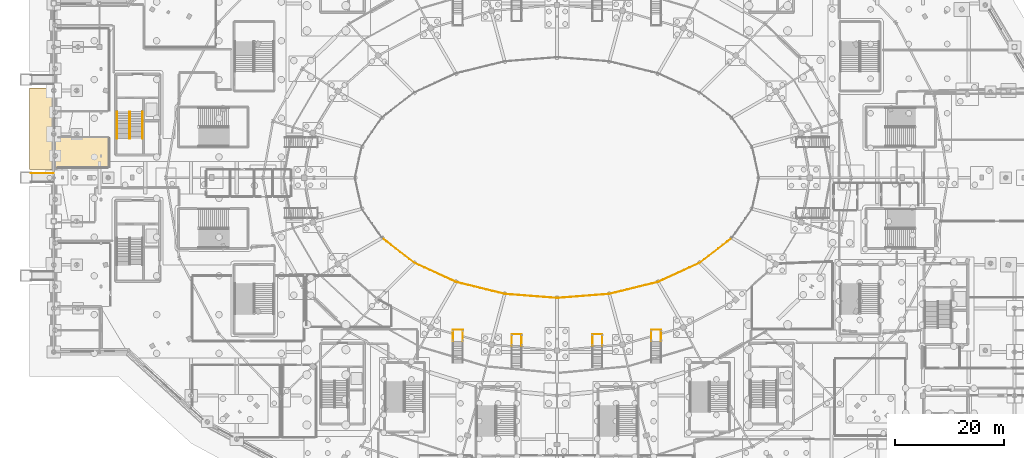
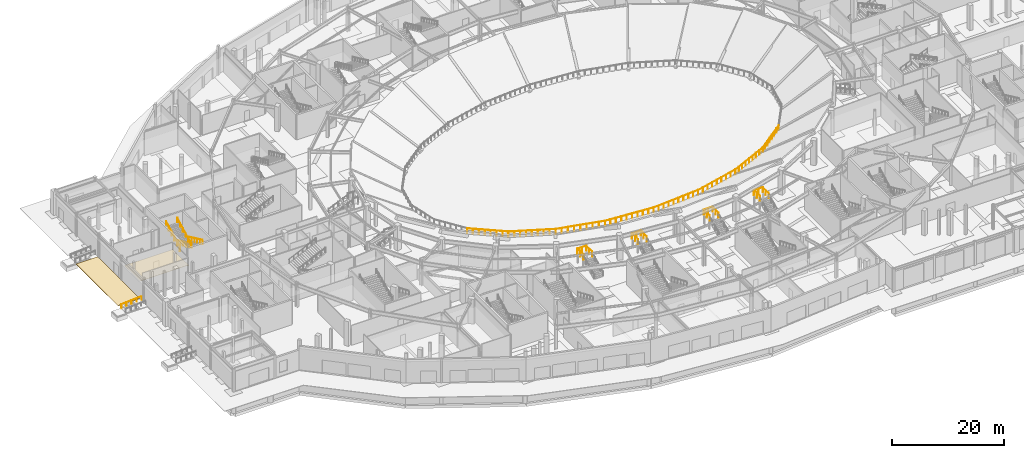
# One storey, part 75 of 93: 25 railings, 2 coverings.
"""IFC4 building model written with IfcOpenShell, lengths in metres."""

from ifc_helpers import new_model, si_unit, direction, frame, origin, origin_2d, place, context, subcontext, project, spatial, polyline, circle, outline, extrude, material, layer, layer_set, type_object, element, save


model = new_model("IFC4")

# Units and contexts
model_context = context("Model", 3, precision=1e-05, world=origin(), true_north=direction((0.0, 1.0)))
body_context = subcontext(model_context, "Body", "Model", "MODEL_VIEW")
ifc_project = project(units=[si_unit("LENGTHUNIT", "METRE"), si_unit("AREAUNIT", "SQUARE_METRE"), si_unit("VOLUMEUNIT", "CUBIC_METRE"), si_unit("PLANEANGLEUNIT", "RADIAN"), si_unit("MASSUNIT", "GRAM", prefix="KILO")], contexts=[model_context])

# Site, building, storey
site_placement = place(None, origin())
site = spatial("IfcSite", under=ifc_project, at=site_placement, CompositionType="ELEMENT")
building_placement = place(site_placement, origin())
building = spatial("IfcBuilding", under=site, at=building_placement, Name="Kalgoora Escarpment Arena", CompositionType="ELEMENT")
storey_placement = place(building_placement, origin())
storey = spatial("IfcBuildingStorey", under=building, at=storey_placement, Name="L00", CompositionType="ELEMENT", Elevation=0.0)

# Coverings
ifc_material_1 = material(Name="Perforated acoustic mineral-fibre ceiling tile")
ifc_layer_1 = layer(ifc_material_1, 0.02490234375)
ifc_layer_set_1 = layer_set([ifc_layer_1], Name="COV-CEIL-ACOUSTIC")
covering_type_1 = type_object("IfcCoveringType", Name="COV-CEIL-ACOUSTIC", PredefinedType="CEILING", material=ifc_layer_set_1)
covering_1_placement = place(storey_placement, frame((0.0, 0.0, 3.47998046875)))
element("IfcCovering", 1, at=covering_1_placement, inside=storey, type_object=covering_type_1, Name="L00 Media Centre acoustic suspended ceiling", PredefinedType="CEILING", context=body_context, shape_type="SweptSolid", body=[
    extrude(outline(polyline([(0.2607421875, 71.40771484375), (10.218994140625, 71.435302734375), (10.2353515625, 65.781005859375), (0.281005859375, 65.7646484375), (0.2607421875, 71.40771484375)])), origin(), (0.0, 0.0, 1.0), 0.02490234375),
])
ifc_material_2 = material(Name="Honed Kimberley sandstone paving", Category="masonry")
ifc_layer_2 = layer(ifc_material_2, 0.06494140625)
ifc_layer_set_2 = layer_set([ifc_layer_2], Name="COV-PAVING-FORECOURT")
covering_type_2 = type_object("IfcCoveringType", Name="COV-PAVING-FORECOURT", PredefinedType="USERDEFINED", material=ifc_layer_set_2)
covering_2_placement = place(storey_placement, frame((0.0, 0.0, -0.06494140625)))
element("IfcCovering", 2, at=covering_2_placement, inside=storey, type_object=covering_type_2, Name="Perimeter pedestrian egress apron paving 03", ObjectType="PAVING", PredefinedType="USERDEFINED", context=body_context, shape_type="SweptSolid", body=[
    extrude(outline(polyline([(-0.02001953125, 80.5), (-0.02001953125, 65.5), (-4.5, 65.5), (-4.5, 80.5), (-0.02001953125, 80.5)])), origin(), (0.0, 0.0, 1.0), 0.06494140625),
])

# Railings
ifc_material_3 = material(Name="Galvanised & powdercoated tubular steel", Category="steel")
railing_type_1 = type_object("IfcRailingType", Name="RAL-GUARD-1120", PredefinedType="GUARDRAIL", material=ifc_material_3)
for number, where, name in (
    (3, (75.10009765625, 33.9599609375, 1.949951171875), "Vomitory VST05 landing guard L"),
    (4, (73.300048828125, 33.9599609375, 1.949951171875), "Vomitory VST05 landing guard R"),
):
    element("IfcRailing", number, at=place(storey_placement, frame(where)), inside=storey, type_object=railing_type_1, Name=name, PredefinedType="GUARDRAIL", context=body_context, shape_type="SweptSolid", body=[
        extrude(circle(Radius=0.02392578125, at=origin_2d()), frame((0.0, 0.0, 1.09619140625), z_axis=(0.0, 1.0, 0.0), x_axis=(-1.0, 0.0, 0.0)), (0.0, 0.0, 1.0), 2.10009765625),
        extrude(circle(Radius=0.02099609375, at=origin_2d()), origin(), (0.0, 0.0, 1.0), 1.072021484375),
        extrude(circle(Radius=0.02099609375, at=origin_2d()), frame((0.0, 1.050048828125, 0.0)), (0.0, 0.0, 1.0), 1.072021484375),
        extrude(circle(Radius=0.02099609375, at=origin_2d()), frame((0.0, 2.10009765625, 0.0)), (0.0, 0.0, 1.0), 1.072021484375),
    ])
railing_1_placement = place(storey_placement, frame((75.1201171875, 36.06005859375, 1.949951171875)))
element("IfcRailing", 5, at=railing_1_placement, inside=storey, type_object=railing_type_1, Name="Vomitory VST05 landing end guard", PredefinedType="GUARDRAIL", context=body_context, shape_type="SweptSolid", body=[
    extrude(circle(Radius=0.02392578125, at=origin_2d()), frame((0.0, 0.0, 1.09619140625), z_axis=(-1.0, 0.0, 0.0), x_axis=(0.0, -1.0, 0.0)), (0.0, 0.0, 1.0), 1.840087890625),
    extrude(circle(Radius=0.02099609375, at=origin_2d()), origin(), (0.0, 0.0, 1.0), 1.072021484375),
    extrude(circle(Radius=0.02099609375, at=origin_2d()), frame((-0.919921875, 0.0, 0.0)), (0.0, 0.0, 1.0), 1.072021484375),
    extrude(circle(Radius=0.02099609375, at=origin_2d()), frame((-1.840087890625, 0.0, 0.0)), (0.0, 0.0, 1.0), 1.072021484375),
])
for number, where, name in (
    (6, (85.89990234375, 33.159912109375, 1.949951171875), "Vomitory VST06 landing guard L"),
    (7, (84.10009765625, 33.159912109375, 1.949951171875), "Vomitory VST06 landing guard R"),
):
    element("IfcRailing", number, at=place(storey_placement, frame(where)), inside=storey, type_object=railing_type_1, Name=name, PredefinedType="GUARDRAIL", context=body_context, shape_type="SweptSolid", body=[
        extrude(circle(Radius=0.02392578125, at=origin_2d()), frame((0.0, 0.0, 1.09619140625), z_axis=(0.0, 1.0, 0.0), x_axis=(-1.0, 0.0, 0.0)), (0.0, 0.0, 1.0), 2.10009765625),
        extrude(circle(Radius=0.02099609375, at=origin_2d()), origin(), (0.0, 0.0, 1.0), 1.072021484375),
        extrude(circle(Radius=0.02099609375, at=origin_2d()), frame((0.0, 1.050048828125, 0.0)), (0.0, 0.0, 1.0), 1.072021484375),
        extrude(circle(Radius=0.02099609375, at=origin_2d()), frame((0.0, 2.10009765625, 0.0)), (0.0, 0.0, 1.0), 1.072021484375),
    ])
railing_2_placement = place(storey_placement, frame((85.919921875, 35.260009765625, 1.949951171875)))
element("IfcRailing", 8, at=railing_2_placement, inside=storey, type_object=railing_type_1, Name="Vomitory VST06 landing end guard", PredefinedType="GUARDRAIL", context=body_context, shape_type="SweptSolid", body=[
    extrude(circle(Radius=0.02392578125, at=origin_2d()), frame((0.0, 0.0, 1.09619140625), z_axis=(-1.0, 0.0, 0.0), x_axis=(0.0, -1.0, 0.0)), (0.0, 0.0, 1.0), 1.83984375),
    extrude(circle(Radius=0.02099609375, at=origin_2d()), origin(), (0.0, 0.0, 1.0), 1.072021484375),
    extrude(circle(Radius=0.02099609375, at=origin_2d()), frame((-0.919921875, 0.0, 0.0)), (0.0, 0.0, 1.0), 1.072021484375),
    extrude(circle(Radius=0.02099609375, at=origin_2d()), frame((-1.83984375, 0.0, 0.0)), (0.0, 0.0, 1.0), 1.072021484375),
])
for number, where, name in (
    (9, (100.699951171875, 33.159912109375, 1.949951171875), "Vomitory VST07 landing guard L"),
    (10, (98.89990234375, 33.159912109375, 1.949951171875), "Vomitory VST07 landing guard R"),
):
    element("IfcRailing", number, at=place(storey_placement, frame(where)), inside=storey, type_object=railing_type_1, Name=name, PredefinedType="GUARDRAIL", context=body_context, shape_type="SweptSolid", body=[
        extrude(circle(Radius=0.02392578125, at=origin_2d()), frame((0.0, 0.0, 1.09619140625), z_axis=(0.0, 1.0, 0.0), x_axis=(-1.0, 0.0, 0.0)), (0.0, 0.0, 1.0), 2.10009765625),
        extrude(circle(Radius=0.02099609375, at=origin_2d()), origin(), (0.0, 0.0, 1.0), 1.072021484375),
        extrude(circle(Radius=0.02099609375, at=origin_2d()), frame((0.0, 1.050048828125, 0.0)), (0.0, 0.0, 1.0), 1.072021484375),
        extrude(circle(Radius=0.02099609375, at=origin_2d()), frame((0.0, 2.10009765625, 0.0)), (0.0, 0.0, 1.0), 1.072021484375),
    ])
railing_3_placement = place(storey_placement, frame((100.719970703125, 35.260009765625, 1.949951171875)))
element("IfcRailing", 11, at=railing_3_placement, inside=storey, type_object=railing_type_1, Name="Vomitory VST07 landing end guard", PredefinedType="GUARDRAIL", context=body_context, shape_type="SweptSolid", body=[
    extrude(circle(Radius=0.02392578125, at=origin_2d()), frame((0.0, 0.0, 1.09619140625), z_axis=(-1.0, 0.0, 0.0), x_axis=(0.0, -1.0, 0.0)), (0.0, 0.0, 1.0), 1.840087890625),
    extrude(circle(Radius=0.02099609375, at=origin_2d()), origin(), (0.0, 0.0, 1.0), 1.072021484375),
    extrude(circle(Radius=0.02099609375, at=origin_2d()), frame((-0.919921875, 0.0, 0.0)), (0.0, 0.0, 1.0), 1.072021484375),
    extrude(circle(Radius=0.02099609375, at=origin_2d()), frame((-1.840087890625, 0.0, 0.0)), (0.0, 0.0, 1.0), 1.072021484375),
])
for number, where, name in (
    (12, (111.5, 33.9599609375, 1.949951171875), "Vomitory VST08 landing guard L"),
    (13, (109.699951171875, 33.9599609375, 1.949951171875), "Vomitory VST08 landing guard R"),
):
    element("IfcRailing", number, at=place(storey_placement, frame(where)), inside=storey, type_object=railing_type_1, Name=name, PredefinedType="GUARDRAIL", context=body_context, shape_type="SweptSolid", body=[
        extrude(circle(Radius=0.02392578125, at=origin_2d()), frame((0.0, 0.0, 1.09619140625), z_axis=(0.0, 1.0, 0.0), x_axis=(-1.0, 0.0, 0.0)), (0.0, 0.0, 1.0), 2.10009765625),
        extrude(circle(Radius=0.02099609375, at=origin_2d()), origin(), (0.0, 0.0, 1.0), 1.072021484375),
        extrude(circle(Radius=0.02099609375, at=origin_2d()), frame((0.0, 1.050048828125, 0.0)), (0.0, 0.0, 1.0), 1.072021484375),
        extrude(circle(Radius=0.02099609375, at=origin_2d()), frame((0.0, 2.10009765625, 0.0)), (0.0, 0.0, 1.0), 1.072021484375),
    ])
railing_4_placement = place(storey_placement, frame((111.52001953125, 36.06005859375, 1.949951171875)))
element("IfcRailing", 14, at=railing_4_placement, inside=storey, type_object=railing_type_1, Name="Vomitory VST08 landing end guard", PredefinedType="GUARDRAIL", context=body_context, shape_type="SweptSolid", body=[
    extrude(circle(Radius=0.02392578125, at=origin_2d()), frame((0.0, 0.0, 1.09619140625), z_axis=(-1.0, 0.0, 0.0), x_axis=(0.0, -1.0, 0.0)), (0.0, 0.0, 1.0), 1.840087890625),
    extrude(circle(Radius=0.02099609375, at=origin_2d()), origin(), (0.0, 0.0, 1.0), 1.072021484375),
    extrude(circle(Radius=0.02099609375, at=origin_2d()), frame((-0.919921875, 0.0, 0.0)), (0.0, 0.0, 1.0), 1.072021484375),
    extrude(circle(Radius=0.02099609375, at=origin_2d()), frame((-1.840087890625, 0.0, 0.0)), (0.0, 0.0, 1.0), 1.072021484375),
])
railing_5_placement = place(storey_placement, frame((60.2705078125, 52.949951171875, 0.679931640625)))
element("IfcRailing", 15, at=railing_5_placement, inside=storey, type_object=railing_type_1, Name="Lower tier front sightline guard 15", PredefinedType="GUARDRAIL", context=body_context, shape_type="SweptSolid", body=[
    extrude(circle(Radius=0.02392578125, at=origin_2d()), frame((0.0, 0.0, 1.09619140625), z_axis=(0.789899660101, -0.613236110297, 0.0), x_axis=(0.613236110297, 0.789899660101, 0.0)), (0.0, 0.0, 1.0), 7.4638671875),
    extrude(circle(Radius=0.02099609375, at=origin_2d()), origin(), (0.0, 0.0, 1.0), 1.072021484375),
    extrude(circle(Radius=0.02099609375, at=origin_2d()), frame((0.84228515625, -0.65380859375, 0.0)), (0.0, 0.0, 1.0), 1.072021484375),
    extrude(circle(Radius=0.02099609375, at=origin_2d()), frame((1.6845703125, -1.307861328125, 0.0)), (0.0, 0.0, 1.0), 1.072021484375),
    extrude(circle(Radius=0.02099609375, at=origin_2d()), frame((2.52685546875, -1.961669921875, 0.0)), (0.0, 0.0, 1.0), 1.072021484375),
    extrude(circle(Radius=0.02099609375, at=origin_2d()), frame((3.368896484375, -2.615478515625, 0.0)), (0.0, 0.0, 1.0), 1.072021484375),
    extrude(circle(Radius=0.02099609375, at=origin_2d()), frame((4.211181640625, -3.269287109375, 0.0)), (0.0, 0.0, 1.0), 1.072021484375),
    extrude(circle(Radius=0.02099609375, at=origin_2d()), frame((5.053466796875, -3.92333984375, 0.0)), (0.0, 0.0, 1.0), 1.072021484375),
    extrude(circle(Radius=0.02099609375, at=origin_2d()), frame((5.895751953125, -4.5771484375, 0.0)), (0.0, 0.0, 1.0), 1.072021484375),
])
railing_6_placement = place(storey_placement, frame((66.166259765625, 48.372802734375, 0.679931640625)))
element("IfcRailing", 16, at=railing_6_placement, inside=storey, type_object=railing_type_1, Name="Lower tier front sightline guard 16", PredefinedType="GUARDRAIL", context=body_context, shape_type="SweptSolid", body=[
    extrude(circle(Radius=0.02392578125, at=origin_2d()), frame((0.0, 0.0, 1.09619140625), z_axis=(0.909503507852, -0.415696246321, 0.0), x_axis=(0.415696246321, 0.909503507852, 0.0)), (0.0, 0.0, 1.0), 8.448486328125),
    extrude(circle(Radius=0.02099609375, at=origin_2d()), origin(), (0.0, 0.0, 1.0), 1.072021484375),
    extrude(circle(Radius=0.02099609375, at=origin_2d()), frame((0.96044921875, -0.43896484375, 0.0)), (0.0, 0.0, 1.0), 1.072021484375),
    extrude(circle(Radius=0.02099609375, at=origin_2d()), frame((1.9208984375, -0.8779296875, 0.0)), (0.0, 0.0, 1.0), 1.072021484375),
    extrude(circle(Radius=0.02099609375, at=origin_2d()), frame((2.88134765625, -1.31689453125, 0.0)), (0.0, 0.0, 1.0), 1.072021484375),
    extrude(circle(Radius=0.02099609375, at=origin_2d()), frame((3.841796875, -1.755859375, 0.0)), (0.0, 0.0, 1.0), 1.072021484375),
    extrude(circle(Radius=0.02099609375, at=origin_2d()), frame((4.802490234375, -2.195068359375, 0.0)), (0.0, 0.0, 1.0), 1.072021484375),
    extrude(circle(Radius=0.02099609375, at=origin_2d()), frame((5.762939453125, -2.634033203125, 0.0)), (0.0, 0.0, 1.0), 1.072021484375),
    extrude(circle(Radius=0.02099609375, at=origin_2d()), frame((6.723388671875, -3.072998046875, 0.0)), (0.0, 0.0, 1.0), 1.072021484375),
    extrude(circle(Radius=0.02099609375, at=origin_2d()), frame((7.683837890625, -3.511962890625, 0.0)), (0.0, 0.0, 1.0), 1.072021484375),
])
railing_7_placement = place(storey_placement, frame((73.85009765625, 44.86083984375, 0.679931640625)))
element("IfcRailing", 17, at=railing_7_placement, inside=storey, type_object=railing_type_1, Name="Lower tier front sightline guard 17", PredefinedType="GUARDRAIL", context=body_context, shape_type="SweptSolid", body=[
    extrude(circle(Radius=0.02392578125, at=origin_2d()), frame((0.0, 0.0, 1.09619140625), z_axis=(0.97088278016, -0.239555060873, 0.0), x_axis=(0.239555060873, 0.97088278016, 0.0)), (0.0, 0.0, 1.0), 9.216064453125),
    extrude(circle(Radius=0.02099609375, at=origin_2d()), origin(), (0.0, 0.0, 1.0), 1.072021484375),
    extrude(circle(Radius=0.02099609375, at=origin_2d()), frame((1.118408203125, -0.27587890625, 0.0)), (0.0, 0.0, 1.0), 1.072021484375),
    extrude(circle(Radius=0.02099609375, at=origin_2d()), frame((2.23681640625, -0.552001953125, 0.0)), (0.0, 0.0, 1.0), 1.072021484375),
    extrude(circle(Radius=0.02099609375, at=origin_2d()), frame((3.35546875, -0.827880859375, 0.0)), (0.0, 0.0, 1.0), 1.072021484375),
    extrude(circle(Radius=0.02099609375, at=origin_2d()), frame((4.473876953125, -1.10400390625, 0.0)), (0.0, 0.0, 1.0), 1.072021484375),
    extrude(circle(Radius=0.02099609375, at=origin_2d()), frame((5.59228515625, -1.3798828125, 0.0)), (0.0, 0.0, 1.0), 1.072021484375),
    extrude(circle(Radius=0.02099609375, at=origin_2d()), frame((6.7109375, -1.65576171875, 0.0)), (0.0, 0.0, 1.0), 1.072021484375),
    extrude(circle(Radius=0.02099609375, at=origin_2d()), frame((7.829345703125, -1.931884765625, 0.0)), (0.0, 0.0, 1.0), 1.072021484375),
    extrude(circle(Radius=0.02099609375, at=origin_2d()), frame((8.94775390625, -2.207763671875, 0.0)), (0.0, 0.0, 1.0), 1.072021484375),
])
railing_8_placement = place(storey_placement, frame((82.7978515625, 42.653076171875, 0.679931640625)))
element("IfcRailing", 18, at=railing_8_placement, inside=storey, type_object=railing_type_1, Name="Lower tier front sightline guard 18", PredefinedType="GUARDRAIL", context=body_context, shape_type="SweptSolid", body=[
    extrude(circle(Radius=0.02392578125, at=origin_2d()), frame((0.0, 0.0, 1.09619140625), z_axis=(0.99693779663, -0.078198655037, 0.0), x_axis=(0.078198655037, 0.99693779663, 0.0)), (0.0, 0.0, 1.0), 9.631591796875),
    extrude(circle(Radius=0.02099609375, at=origin_2d()), origin(), (0.0, 0.0, 1.0), 1.072021484375),
    extrude(circle(Radius=0.02099609375, at=origin_2d()), frame((1.06689453125, -0.083740234375, 0.0)), (0.0, 0.0, 1.0), 1.072021484375),
    extrude(circle(Radius=0.02099609375, at=origin_2d()), frame((2.1337890625, -0.16748046875, 0.0)), (0.0, 0.0, 1.0), 1.072021484375),
    extrude(circle(Radius=0.02099609375, at=origin_2d()), frame((3.20068359375, -0.2509765625, 0.0)), (0.0, 0.0, 1.0), 1.072021484375),
    extrude(circle(Radius=0.02099609375, at=origin_2d()), frame((4.267578125, -0.334716796875, 0.0)), (0.0, 0.0, 1.0), 1.072021484375),
    extrude(circle(Radius=0.02099609375, at=origin_2d()), frame((5.33447265625, -0.41845703125, 0.0)), (0.0, 0.0, 1.0), 1.072021484375),
    extrude(circle(Radius=0.02099609375, at=origin_2d()), frame((6.4013671875, -0.502197265625, 0.0)), (0.0, 0.0, 1.0), 1.072021484375),
    extrude(circle(Radius=0.02099609375, at=origin_2d()), frame((7.46826171875, -0.585693359375, 0.0)), (0.0, 0.0, 1.0), 1.072021484375),
    extrude(circle(Radius=0.02099609375, at=origin_2d()), frame((8.53515625, -0.66943359375, 0.0)), (0.0, 0.0, 1.0), 1.072021484375),
    extrude(circle(Radius=0.02099609375, at=origin_2d()), frame((9.60205078125, -0.753173828125, 0.0)), (0.0, 0.0, 1.0), 1.072021484375),
])
railing_9_placement = place(storey_placement, frame((92.39990234375, 41.89990234375, 0.679931640625)))
element("IfcRailing", 19, at=railing_9_placement, inside=storey, type_object=railing_type_1, Name="Lower tier front sightline guard 19", PredefinedType="GUARDRAIL", context=body_context, shape_type="SweptSolid", body=[
    extrude(circle(Radius=0.02392578125, at=origin_2d()), frame((0.0, 0.0, 1.09619140625), z_axis=(0.996937951629, 0.078196678975, 0.0), x_axis=(-0.078196678975, 0.996937951629, 0.0)), (0.0, 0.0, 1.0), 9.6318359375),
    extrude(circle(Radius=0.02099609375, at=origin_2d()), origin(), (0.0, 0.0, 1.0), 1.072021484375),
    extrude(circle(Radius=0.02099609375, at=origin_2d()), frame((1.06689453125, 0.083740234375, 0.0)), (0.0, 0.0, 1.0), 1.072021484375),
    extrude(circle(Radius=0.02099609375, at=origin_2d()), frame((2.1337890625, 0.16748046875, 0.0)), (0.0, 0.0, 1.0), 1.072021484375),
    extrude(circle(Radius=0.02099609375, at=origin_2d()), frame((3.20068359375, 0.2509765625, 0.0)), (0.0, 0.0, 1.0), 1.072021484375),
    extrude(circle(Radius=0.02099609375, at=origin_2d()), frame((4.267578125, 0.334716796875, 0.0)), (0.0, 0.0, 1.0), 1.072021484375),
    extrude(circle(Radius=0.02099609375, at=origin_2d()), frame((5.334716796875, 0.41845703125, 0.0)), (0.0, 0.0, 1.0), 1.072021484375),
    extrude(circle(Radius=0.02099609375, at=origin_2d()), frame((6.401611328125, 0.502197265625, 0.0)), (0.0, 0.0, 1.0), 1.072021484375),
    extrude(circle(Radius=0.02099609375, at=origin_2d()), frame((7.468505859375, 0.585693359375, 0.0)), (0.0, 0.0, 1.0), 1.072021484375),
    extrude(circle(Radius=0.02099609375, at=origin_2d()), frame((8.535400390625, 0.66943359375, 0.0)), (0.0, 0.0, 1.0), 1.072021484375),
    extrude(circle(Radius=0.02099609375, at=origin_2d()), frame((9.602294921875, 0.753173828125, 0.0)), (0.0, 0.0, 1.0), 1.072021484375),
])
railing_10_placement = place(storey_placement, frame((102.002197265625, 42.653076171875, 0.679931640625)))
element("IfcRailing", 20, at=railing_10_placement, inside=storey, type_object=railing_type_1, Name="Lower tier front sightline guard 20", PredefinedType="GUARDRAIL", context=body_context, shape_type="SweptSolid", body=[
    extrude(circle(Radius=0.02392578125, at=origin_2d()), frame((0.0, 0.0, 1.09619140625), z_axis=(0.97088278016, 0.239555060873, 0.0), x_axis=(-0.239555060873, 0.97088278016, 0.0)), (0.0, 0.0, 1.0), 9.216064453125),
    extrude(circle(Radius=0.02099609375, at=origin_2d()), origin(), (0.0, 0.0, 1.0), 1.072021484375),
    extrude(circle(Radius=0.02099609375, at=origin_2d()), frame((1.118408203125, 0.27587890625, 0.0)), (0.0, 0.0, 1.0), 1.072021484375),
    extrude(circle(Radius=0.02099609375, at=origin_2d()), frame((2.23681640625, 0.552001953125, 0.0)), (0.0, 0.0, 1.0), 1.072021484375),
    extrude(circle(Radius=0.02099609375, at=origin_2d()), frame((3.35546875, 0.827880859375, 0.0)), (0.0, 0.0, 1.0), 1.072021484375),
    extrude(circle(Radius=0.02099609375, at=origin_2d()), frame((4.473876953125, 1.10400390625, 0.0)), (0.0, 0.0, 1.0), 1.072021484375),
    extrude(circle(Radius=0.02099609375, at=origin_2d()), frame((5.59228515625, 1.3798828125, 0.0)), (0.0, 0.0, 1.0), 1.072021484375),
    extrude(circle(Radius=0.02099609375, at=origin_2d()), frame((6.7109375, 1.65576171875, 0.0)), (0.0, 0.0, 1.0), 1.072021484375),
    extrude(circle(Radius=0.02099609375, at=origin_2d()), frame((7.829345703125, 1.931884765625, 0.0)), (0.0, 0.0, 1.0), 1.072021484375),
    extrude(circle(Radius=0.02099609375, at=origin_2d()), frame((8.94775390625, 2.207763671875, 0.0)), (0.0, 0.0, 1.0), 1.072021484375),
])
railing_11_placement = place(storey_placement, frame((110.949951171875, 44.86083984375, 0.679931640625)))
element("IfcRailing", 21, at=railing_11_placement, inside=storey, type_object=railing_type_1, Name="Lower tier front sightline guard 21", PredefinedType="GUARDRAIL", context=body_context, shape_type="SweptSolid", body=[
    extrude(circle(Radius=0.02392578125, at=origin_2d()), frame((0.0, 0.0, 1.09619140625), z_axis=(0.909503507852, 0.415696246321, 0.0), x_axis=(-0.415696246321, 0.909503507852, 0.0)), (0.0, 0.0, 1.0), 8.448486328125),
    extrude(circle(Radius=0.02099609375, at=origin_2d()), origin(), (0.0, 0.0, 1.0), 1.072021484375),
    extrude(circle(Radius=0.02099609375, at=origin_2d()), frame((0.96044921875, 0.43896484375, 0.0)), (0.0, 0.0, 1.0), 1.072021484375),
    extrude(circle(Radius=0.02099609375, at=origin_2d()), frame((1.9208984375, 0.8779296875, 0.0)), (0.0, 0.0, 1.0), 1.072021484375),
    extrude(circle(Radius=0.02099609375, at=origin_2d()), frame((2.88134765625, 1.31689453125, 0.0)), (0.0, 0.0, 1.0), 1.072021484375),
    extrude(circle(Radius=0.02099609375, at=origin_2d()), frame((3.841796875, 1.755859375, 0.0)), (0.0, 0.0, 1.0), 1.072021484375),
    extrude(circle(Radius=0.02099609375, at=origin_2d()), frame((4.802490234375, 2.195068359375, 0.0)), (0.0, 0.0, 1.0), 1.072021484375),
    extrude(circle(Radius=0.02099609375, at=origin_2d()), frame((5.762939453125, 2.634033203125, 0.0)), (0.0, 0.0, 1.0), 1.072021484375),
    extrude(circle(Radius=0.02099609375, at=origin_2d()), frame((6.723388671875, 3.072998046875, 0.0)), (0.0, 0.0, 1.0), 1.072021484375),
    extrude(circle(Radius=0.02099609375, at=origin_2d()), frame((7.683837890625, 3.511962890625, 0.0)), (0.0, 0.0, 1.0), 1.072021484375),
])
railing_12_placement = place(storey_placement, frame((118.6337890625, 48.372802734375, 0.679931640625)))
element("IfcRailing", 22, at=railing_12_placement, inside=storey, type_object=railing_type_1, Name="Lower tier front sightline guard 22", PredefinedType="GUARDRAIL", context=body_context, shape_type="SweptSolid", body=[
    extrude(circle(Radius=0.02392578125, at=origin_2d()), frame((0.0, 0.0, 1.09619140625), z_axis=(0.789899660101, 0.613236110297, 0.0), x_axis=(-0.613236110297, 0.789899660101, 0.0)), (0.0, 0.0, 1.0), 7.4638671875),
    extrude(circle(Radius=0.02099609375, at=origin_2d()), origin(), (0.0, 0.0, 1.0), 1.072021484375),
    extrude(circle(Radius=0.02099609375, at=origin_2d()), frame((0.84228515625, 0.65380859375, 0.0)), (0.0, 0.0, 1.0), 1.072021484375),
    extrude(circle(Radius=0.02099609375, at=origin_2d()), frame((1.6845703125, 1.307861328125, 0.0)), (0.0, 0.0, 1.0), 1.072021484375),
    extrude(circle(Radius=0.02099609375, at=origin_2d()), frame((2.52685546875, 1.961669921875, 0.0)), (0.0, 0.0, 1.0), 1.072021484375),
    extrude(circle(Radius=0.02099609375, at=origin_2d()), frame((3.368896484375, 2.615478515625, 0.0)), (0.0, 0.0, 1.0), 1.072021484375),
    extrude(circle(Radius=0.02099609375, at=origin_2d()), frame((4.211181640625, 3.269287109375, 0.0)), (0.0, 0.0, 1.0), 1.072021484375),
    extrude(circle(Radius=0.02099609375, at=origin_2d()), frame((5.053466796875, 3.92333984375, 0.0)), (0.0, 0.0, 1.0), 1.072021484375),
    extrude(circle(Radius=0.02099609375, at=origin_2d()), frame((5.895751953125, 4.5771484375, 0.0)), (0.0, 0.0, 1.0), 1.072021484375),
])
ifc_material_4 = material(Name="Brushed stainless steel 316 handrail", Category="steel")
railing_type_2 = type_object("IfcRailingType", Name="RAL-HAND-920", PredefinedType="HANDRAIL", material=ifc_material_4)
for number, where, name in (
    (23, (16.300048828125, 76.110107421875, 0.37890625), "ST01 L00 pitched stair handrail F1L"),
    (24, (14.02001953125, 76.110107421875, 0.37890625), "ST01 L00 pitched stair handrail F1R"),
):
    element("IfcRailing", number, at=place(storey_placement, frame(where)), inside=storey, type_object=railing_type_2, Name=name, PredefinedType="HANDRAIL", context=body_context, shape_type="SweptSolid", body=[
        extrude(circle(Radius=0.02392578125, at=origin_2d()), frame((0.0, 0.0, 0.89599609375), z_axis=(0.0, -0.906917908097, 0.421307379443), x_axis=(1.0, 0.0, 0.0)), (0.0, 0.0, 1.0), 5.4140625),
        extrude(circle(Radius=0.02099609375, at=origin_2d()), origin(), (0.0, 0.0, 1.0), 0.871826171875),
        extrude(circle(Radius=0.02099609375, at=origin_2d()), frame((0.0, -0.98193359375, 0.456298828125)), (0.0, 0.0, 1.0), 0.871826171875),
        extrude(circle(Radius=0.02099609375, at=origin_2d()), frame((0.0, -1.964111328125, 0.912353515625)), (0.0, 0.0, 1.0), 0.871826171875),
        extrude(circle(Radius=0.02099609375, at=origin_2d()), frame((0.0, -2.946044921875, 1.36865234375)), (0.0, 0.0, 1.0), 0.871826171875),
        extrude(circle(Radius=0.02099609375, at=origin_2d()), frame((0.0, -3.92822265625, 1.82470703125)), (0.0, 0.0, 1.0), 0.871826171875),
        extrude(circle(Radius=0.02099609375, at=origin_2d()), frame((0.0, -4.91015625, 2.281005859375)), (0.0, 0.0, 1.0), 0.871826171875),
    ])
for number, where, name in (
    (25, (13.8798828125, 71.199951171875, 2.81884765625), "ST01 L00 pitched stair handrail F2L"),
    (26, (11.60009765625, 71.199951171875, 2.81884765625), "ST01 L00 pitched stair handrail F2R"),
):
    element("IfcRailing", number, at=place(storey_placement, frame(where)), inside=storey, type_object=railing_type_2, Name=name, PredefinedType="HANDRAIL", context=body_context, shape_type="SweptSolid", body=[
        extrude(circle(Radius=0.02392578125, at=origin_2d()), frame((0.0, 0.0, 0.89599609375), z_axis=(0.0, 0.88810515041, 0.459640339629), x_axis=(-1.0, 0.0, 0.0)), (0.0, 0.0, 1.0), 5.52880859375),
        extrude(circle(Radius=0.02099609375, at=origin_2d()), origin(), (0.0, 0.0, 1.0), 0.871826171875),
        extrude(circle(Radius=0.02099609375, at=origin_2d()), frame((0.0, 0.98193359375, 0.50830078125)), (0.0, 0.0, 1.0), 0.871826171875),
        extrude(circle(Radius=0.02099609375, at=origin_2d()), frame((0.0, 1.964111328125, 1.0166015625)), (0.0, 0.0, 1.0), 0.871826171875),
        extrude(circle(Radius=0.02099609375, at=origin_2d()), frame((0.0, 2.946044921875, 1.524658203125)), (0.0, 0.0, 1.0), 0.871826171875),
        extrude(circle(Radius=0.02099609375, at=origin_2d()), frame((0.0, 3.92822265625, 2.032958984375)), (0.0, 0.0, 1.0), 0.871826171875),
        extrude(circle(Radius=0.02099609375, at=origin_2d()), frame((0.0, 4.91015625, 2.541259765625)), (0.0, 0.0, 1.0), 0.871826171875),
    ])
railing_13_placement = place(storey_placement, frame((-4.199951171875, 64.800048828125, -0.300048828125)))
element("IfcRailing", 27, at=railing_13_placement, inside=storey, type_object=railing_type_2, Name="Accessible ramp RMP-02 handrail R", PredefinedType="HANDRAIL", context=body_context, shape_type="SweptSolid", body=[
    extrude(circle(Radius=0.02392578125, at=origin_2d()), frame((0.0, 0.0, 0.89599609375), z_axis=(0.997457816785, 0.0, 0.071259411546), x_axis=(0.0, 1.0, 0.0)), (0.0, 0.0, 1.0), 4.210693359375),
    extrude(circle(Radius=0.02099609375, at=origin_2d()), origin(), (0.0, 0.0, 1.0), 0.871826171875),
    extrude(circle(Radius=0.02099609375, at=origin_2d()), frame((1.050048828125, 0.0, 0.074951171875)), (0.0, 0.0, 1.0), 0.871826171875),
    extrude(circle(Radius=0.02099609375, at=origin_2d()), frame((2.10009765625, 0.0, 0.14990234375)), (0.0, 0.0, 1.0), 0.871826171875),
    extrude(circle(Radius=0.02099609375, at=origin_2d()), frame((3.14990234375, 0.0, 0.22509765625)), (0.0, 0.0, 1.0), 0.871826171875),
    extrude(circle(Radius=0.02099609375, at=origin_2d()), frame((4.199951171875, 0.0, 0.300048828125)), (0.0, 0.0, 1.0), 0.871826171875),
])

save(model, "model.ifc")
